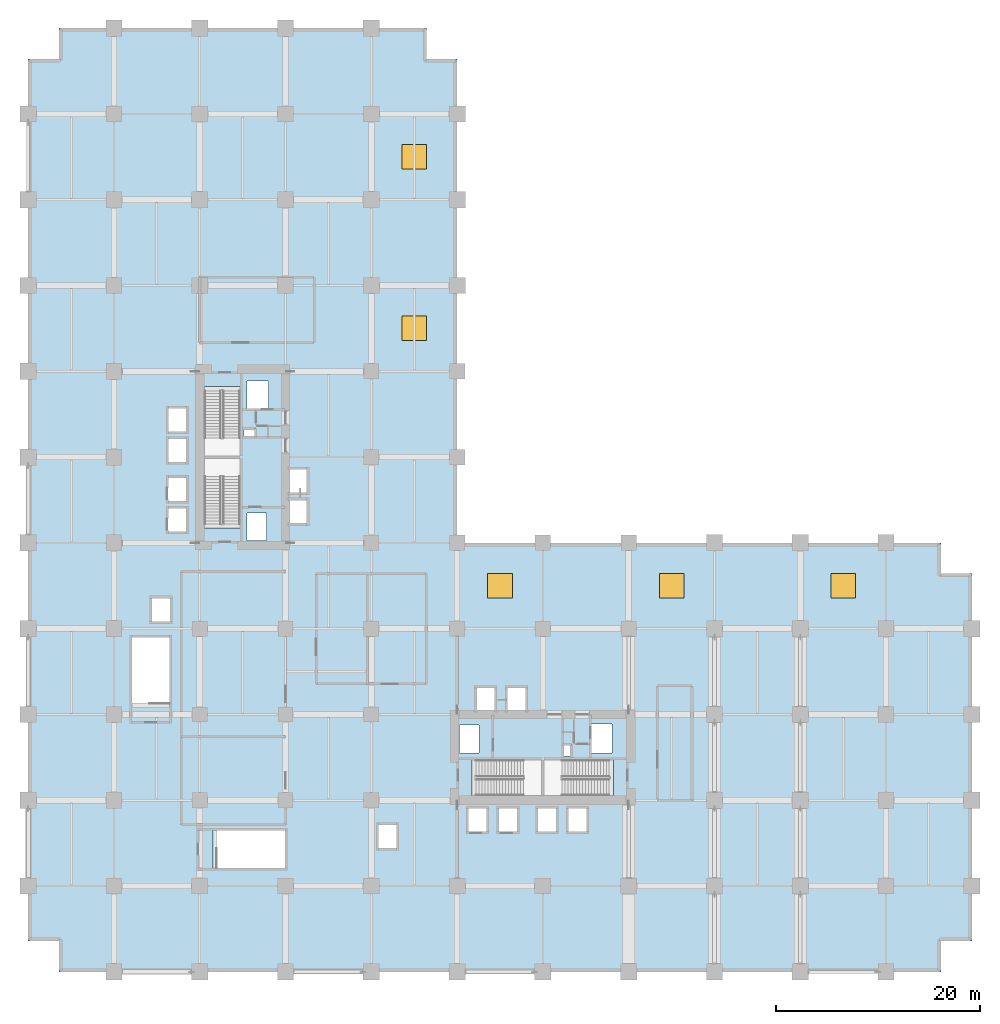
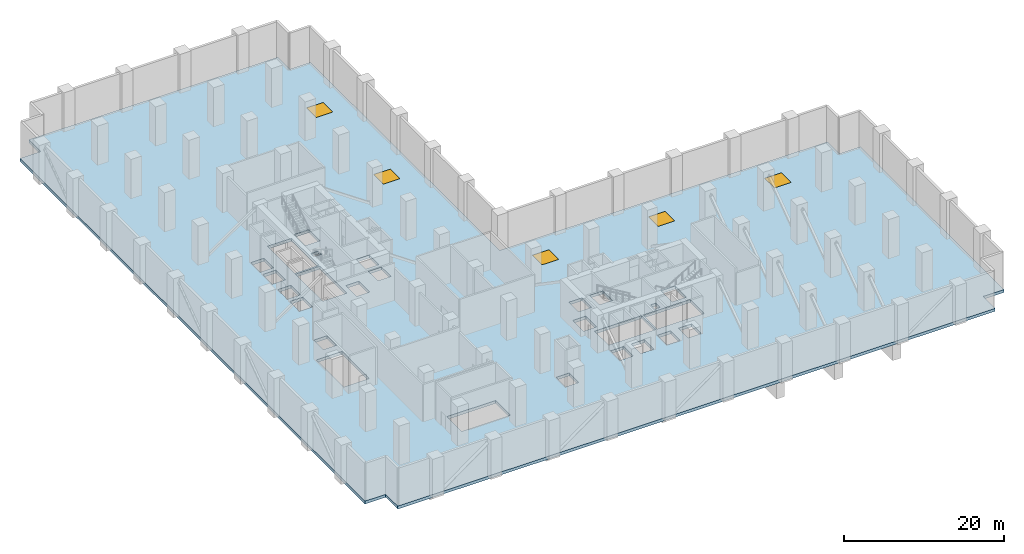
# One storey, part 5 of 20: 5 windows, 1 slab, 5 openings.
"""IFC4 building model written with IfcOpenShell, lengths in metres."""

from ifc_helpers import new_model, si_unit, direction, frame, origin, origin_2d, place, context, subcontext, project, spatial, polyline, rectangle, outline, extrude, material, layer, layer_set, type_object, element, fill, save


model = new_model("IFC4")

# Units and contexts
model_context = context("Model", 3, precision=1e-05, world=origin(), true_north=direction((0.0, 1.0)))
body_context = subcontext(model_context, "Body", "Model", "MODEL_VIEW")
ifc_project = project(units=[si_unit("LENGTHUNIT", "METRE"), si_unit("AREAUNIT", "SQUARE_METRE"), si_unit("VOLUMEUNIT", "CUBIC_METRE"), si_unit("PLANEANGLEUNIT", "RADIAN"), si_unit("MASSUNIT", "GRAM", prefix="KILO")], contexts=[model_context])

# Site, building, storey
site_placement = place(None, origin())
site = spatial("IfcSite", under=ifc_project, at=site_placement, CompositionType="ELEMENT")
building_placement = place(site_placement, origin())
building = spatial("IfcBuilding", under=site, at=building_placement, Name="Koriwani Terraces Tower", CompositionType="ELEMENT")
storey_placement = place(building_placement, frame((0.0, 0.0, 26.0)))
storey = spatial("IfcBuildingStorey", under=building, at=storey_placement, Name="L05", CompositionType="ELEMENT", Elevation=26.0)

# Slab, openings, windows
ifc_material_1 = material(Name="Concrete C50/60", Category="concrete")
ifc_layer = layer(ifc_material_1, 0.449951171875, Name="Concrete C50/60")
ifc_layer_set = layer_set([ifc_layer], Name="Concrete C50/60")
slab_type = type_object("IfcSlabType", Name="SLAB_TRANSFER_450", PredefinedType="FLOOR", material=ifc_layer_set)
slab_placement = place(storey_placement, frame((0.0, 0.0, -0.449951171875)))
slab = element("IfcSlab", 1, at=slab_placement, inside=storey, type_object=slab_type, Name="L05 Structural Floor Slab", PredefinedType="FLOOR", context=body_context, shape_type="SweptSolid", body=[
    extrude(outline(polyline([(3.0, 0.0), (89.39990234375, 0.0), (89.39990234375, 3.0), (92.39990234375, 3.0), (92.39990234375, 39.0), (89.39990234375, 39.0), (89.39990234375, 42.0), (42.0, 42.0), (42.0, 89.39990234375), (39.0, 89.39990234375), (39.0, 92.39990234375), (3.0, 92.39990234375), (3.0, 89.39990234375), (0.0, 89.39990234375), (0.0, 3.0), (3.0, 3.0), (3.0, 0.0)]), holes=[polyline([(17.25, 43.4599609375), (20.75, 43.4599609375), (20.75, 50.25), (17.25, 50.25), (17.25, 43.4599609375)]), polyline([(17.25, 50.5), (20.75, 50.5), (20.75, 57.2900390625), (17.25, 57.2900390625), (17.25, 50.5)]), polyline([(43.4599609375, 17.25), (50.25, 17.25), (50.25, 20.75), (43.4599609375, 20.75), (43.4599609375, 17.25)]), polyline([(50.5, 17.25), (57.2900390625, 17.25), (57.2900390625, 20.75), (50.5, 20.75), (50.5, 17.25)]), polyline([(10.14990234375, 25.909912109375), (13.85009765625, 25.909912109375), (13.85009765625, 32.75), (10.14990234375, 32.75), (10.14990234375, 25.909912109375)]), polyline([(18.110107421875, 10.14990234375), (25.14990234375, 10.14990234375), (25.14990234375, 13.85009765625), (18.110107421875, 13.85009765625), (18.110107421875, 10.14990234375)]), polyline([(12.050048828125, 34.25), (13.949951171875, 34.25), (13.949951171875, 36.64990234375), (12.050048828125, 36.64990234375), (12.050048828125, 34.25)]), polyline([(34.25, 12.050048828125), (36.14990234375, 12.050048828125), (36.14990234375, 14.449951171875), (34.25, 14.449951171875), (34.25, 12.050048828125)]), polyline([(13.64990234375, 43.050048828125), (15.550048828125, 43.050048828125), (15.550048828125, 45.449951171875), (13.64990234375, 45.449951171875), (13.64990234375, 43.050048828125)]), polyline([(13.64990234375, 46.050048828125), (15.550048828125, 46.050048828125), (15.550048828125, 48.449951171875), (13.64990234375, 48.449951171875), (13.64990234375, 46.050048828125)]), polyline([(43.050048828125, 13.64990234375), (44.949951171875, 13.64990234375), (44.949951171875, 16.050048828125), (43.050048828125, 16.050048828125), (43.050048828125, 13.64990234375)]), polyline([(46.050048828125, 13.64990234375), (47.949951171875, 13.64990234375), (47.949951171875, 16.050048828125), (46.050048828125, 16.050048828125), (46.050048828125, 13.64990234375)]), polyline([(13.64990234375, 49.85009765625), (15.550048828125, 49.85009765625), (15.550048828125, 52.25), (13.64990234375, 52.25), (13.64990234375, 49.85009765625)]), polyline([(13.64990234375, 52.85009765625), (15.550048828125, 52.85009765625), (15.550048828125, 55.25), (13.64990234375, 55.25), (13.64990234375, 52.85009765625)]), polyline([(49.85009765625, 13.64990234375), (51.75, 13.64990234375), (51.75, 16.050048828125), (49.85009765625, 16.050048828125), (49.85009765625, 13.64990234375)]), polyline([(52.85009765625, 13.64990234375), (54.75, 13.64990234375), (54.75, 16.050048828125), (52.85009765625, 16.050048828125), (52.85009765625, 13.64990234375)]), polyline([(25.449951171875, 43.85009765625), (27.35009765625, 43.85009765625), (27.35009765625, 46.25), (25.449951171875, 46.25), (25.449951171875, 43.85009765625)]), polyline([(25.449951171875, 46.85009765625), (27.35009765625, 46.85009765625), (27.35009765625, 49.25), (25.449951171875, 49.25), (25.449951171875, 46.85009765625)]), polyline([(43.85009765625, 25.449951171875), (45.75, 25.449951171875), (45.75, 27.85009765625), (43.85009765625, 27.85009765625), (43.85009765625, 25.449951171875)]), polyline([(46.85009765625, 25.449951171875), (48.75, 25.449951171875), (48.75, 27.85009765625), (46.85009765625, 27.85009765625), (46.85009765625, 25.449951171875)]), polyline([(21.449951171875, 55.050048828125), (23.550048828125, 55.050048828125), (23.550048828125, 57.85009765625), (21.449951171875, 57.85009765625), (21.449951171875, 55.050048828125)]), polyline([(55.050048828125, 21.449951171875), (57.14990234375, 21.449951171875), (57.14990234375, 24.25), (55.050048828125, 24.25), (55.050048828125, 21.449951171875)]), polyline([(21.449951171875, 42.25), (23.35009765625, 42.25), (23.35009765625, 44.949951171875), (21.449951171875, 44.949951171875), (21.449951171875, 42.25)]), polyline([(42.25, 21.449951171875), (44.14990234375, 21.449951171875), (44.14990234375, 24.14990234375), (42.25, 24.14990234375), (42.25, 21.449951171875)]), polyline([(21.14990234375, 52.419921875), (22.219970703125, 52.419921875), (22.219970703125, 53.179931640625), (21.14990234375, 53.179931640625), (21.14990234375, 52.419921875)]), polyline([(52.419921875, 21.14990234375), (53.179931640625, 21.14990234375), (53.179931640625, 22.219970703125), (52.419921875, 22.219970703125), (52.419921875, 21.14990234375)])]), origin(), (0.0, 0.0, 1.0), 0.449951171875),
])
opening_1_placement = place(slab_placement, frame((46.199951171875, 37.800048828125, 0.0)))
opening_1 = element("IfcOpeningElement", 2, at=opening_1_placement, cuts=slab, Name="Opening SK-01", PredefinedType="OPENING", context=body_context, shape_type="SweptSolid", body=[
    extrude(rectangle(XDim=2.39990234375, YDim=2.39990234375, at=origin_2d()), origin(), (0.0, 0.0, 1.0), 0.449951171875),
])
opening_2_placement = place(slab_placement, frame((63.0, 37.800048828125, 0.0)))
opening_2 = element("IfcOpeningElement", 3, at=opening_2_placement, cuts=slab, Name="Opening SK-01", PredefinedType="OPENING", context=body_context, shape_type="SweptSolid", body=[
    extrude(rectangle(XDim=2.39990234375, YDim=2.39990234375, at=origin_2d()), origin(), (0.0, 0.0, 1.0), 0.449951171875),
])
opening_3_placement = place(slab_placement, frame((79.800048828125, 37.800048828125, 0.0)))
opening_3 = element("IfcOpeningElement", 4, at=opening_3_placement, cuts=slab, Name="Opening SK-01", PredefinedType="OPENING", context=body_context, shape_type="SweptSolid", body=[
    extrude(rectangle(XDim=2.39990234375, YDim=2.39990234375, at=origin_2d()), origin(), (0.0, 0.0, 1.0), 0.449951171875),
])
opening_4_placement = place(slab_placement, frame((37.800048828125, 63.0, 0.0)))
opening_4 = element("IfcOpeningElement", 5, at=opening_4_placement, cuts=slab, Name="Opening SK-01", PredefinedType="OPENING", context=body_context, shape_type="SweptSolid", body=[
    extrude(rectangle(XDim=2.39990234375, YDim=2.39990234375, at=origin_2d()), origin(), (0.0, 0.0, 1.0), 0.449951171875),
])
opening_5_placement = place(slab_placement, frame((37.800048828125, 79.800048828125, 0.0)))
opening_5 = element("IfcOpeningElement", 6, at=opening_5_placement, cuts=slab, Name="Opening SK-01", PredefinedType="OPENING", context=body_context, shape_type="SweptSolid", body=[
    extrude(rectangle(XDim=2.39990234375, YDim=2.39990234375, at=origin_2d()), origin(), (0.0, 0.0, 1.0), 0.449951171875),
])
ifc_material_2 = material(Name="Tempered Laminated Low-E Glass", Category="glass")
window_type = type_object("IfcWindowType", Name="SKYLIGHT_PODIUM_2400X2400", PartitioningType="SINGLE_PANEL", PredefinedType="SKYLIGHT", material=ifc_material_2)
window_1_placement = place(opening_1_placement, frame((0.0, 0.0, 0.39990234375)))
window_1 = element("IfcWindow", 7, at=window_1_placement, inside=storey, type_object=window_type, Name="Podium Galleria Roof Skylight SK-01", OverallHeight=2.39990234375, OverallWidth=2.39990234375, PartitioningType="SINGLE_PANEL", PredefinedType="SKYLIGHT", context=body_context, shape_type="SweptSolid", body=[
    extrude(rectangle(XDim=2.39990234375, YDim=2.39990234375, at=origin_2d()), origin(), (0.0, 0.0, 1.0), 0.050048828125),
])
fill(opening_1, window_1)
window_2_placement = place(opening_2_placement, frame((0.0, 0.0, 0.39990234375)))
window_2 = element("IfcWindow", 8, at=window_2_placement, inside=storey, type_object=window_type, Name="Podium Galleria Roof Skylight SK-02", OverallHeight=2.39990234375, OverallWidth=2.39990234375, PartitioningType="SINGLE_PANEL", PredefinedType="SKYLIGHT", context=body_context, shape_type="SweptSolid", body=[
    extrude(rectangle(XDim=2.39990234375, YDim=2.39990234375, at=origin_2d()), origin(), (0.0, 0.0, 1.0), 0.050048828125),
])
fill(opening_2, window_2)
window_3_placement = place(opening_3_placement, frame((0.0, 0.0, 0.39990234375)))
window_3 = element("IfcWindow", 9, at=window_3_placement, inside=storey, type_object=window_type, Name="Podium Galleria Roof Skylight SK-03", OverallHeight=2.39990234375, OverallWidth=2.39990234375, PartitioningType="SINGLE_PANEL", PredefinedType="SKYLIGHT", context=body_context, shape_type="SweptSolid", body=[
    extrude(rectangle(XDim=2.39990234375, YDim=2.39990234375, at=origin_2d()), origin(), (0.0, 0.0, 1.0), 0.050048828125),
])
fill(opening_3, window_3)
window_4_placement = place(opening_4_placement, frame((0.0, 0.0, 0.39990234375)))
window_4 = element("IfcWindow", 10, at=window_4_placement, inside=storey, type_object=window_type, Name="Podium Galleria Roof Skylight SK-04", OverallHeight=2.39990234375, OverallWidth=2.39990234375, PartitioningType="SINGLE_PANEL", PredefinedType="SKYLIGHT", context=body_context, shape_type="SweptSolid", body=[
    extrude(rectangle(XDim=2.39990234375, YDim=2.39990234375, at=origin_2d()), origin(), (0.0, 0.0, 1.0), 0.050048828125),
])
fill(opening_4, window_4)
window_5_placement = place(opening_5_placement, frame((0.0, 0.0, 0.39990234375)))
window_5 = element("IfcWindow", 11, at=window_5_placement, inside=storey, type_object=window_type, Name="Podium Galleria Roof Skylight SK-05", OverallHeight=2.39990234375, OverallWidth=2.39990234375, PartitioningType="SINGLE_PANEL", PredefinedType="SKYLIGHT", context=body_context, shape_type="SweptSolid", body=[
    extrude(rectangle(XDim=2.39990234375, YDim=2.39990234375, at=origin_2d()), origin(), (0.0, 0.0, 1.0), 0.050048828125),
])
fill(opening_5, window_5)

save(model, "model.ifc")
